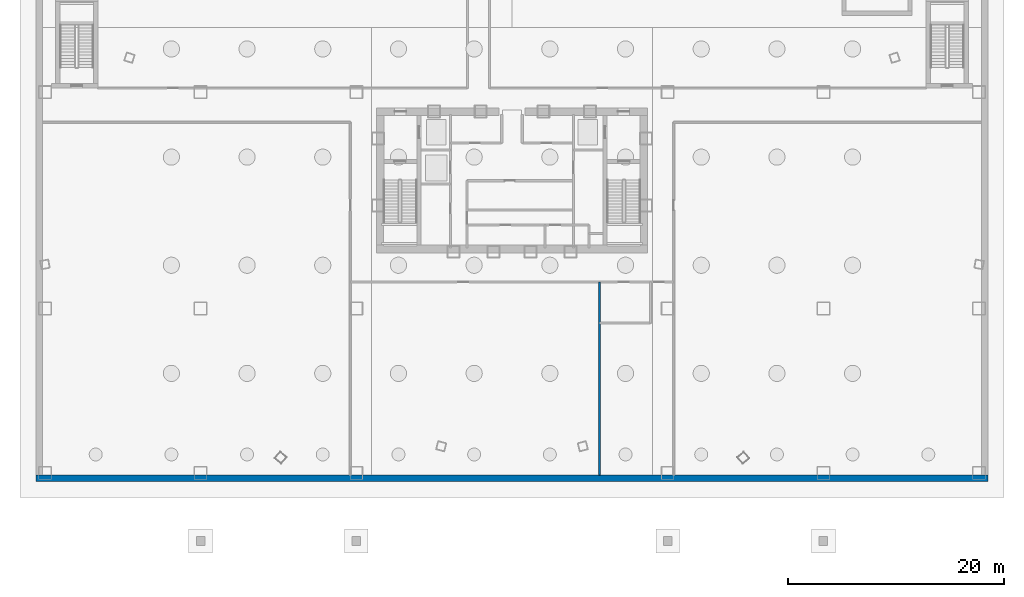
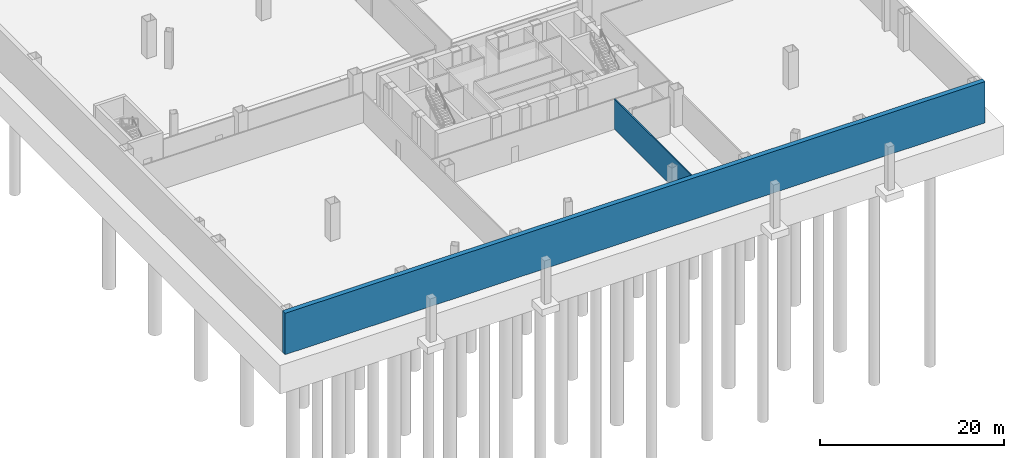
# One storey, part 6 of 15: 2 walls.
"""IFC4 building model written with IfcOpenShell, lengths in metres."""

from ifc_helpers import new_model, si_unit, direction, frame, frame_2d, origin, place, context, subcontext, project, spatial, rectangle, extrude, material, layer, layer_set, type_object, element, save


model = new_model("IFC4")

# Units and contexts
model_context = context("Model", 3, precision=1e-05, world=origin(), true_north=direction((0.0, 1.0)))
body_context = subcontext(model_context, "Body", "Model", "MODEL_VIEW")
ifc_project = project(units=[si_unit("LENGTHUNIT", "METRE"), si_unit("AREAUNIT", "SQUARE_METRE"), si_unit("VOLUMEUNIT", "CUBIC_METRE"), si_unit("PLANEANGLEUNIT", "RADIAN"), si_unit("MASSUNIT", "GRAM", prefix="KILO"), si_unit("THERMODYNAMICTEMPERATUREUNIT", "KELVIN"), si_unit("POWERUNIT", "WATT")], contexts=[model_context])

# Site, building, storey
site_placement = place(None, origin())
site = spatial("IfcSite", under=ifc_project, at=site_placement, CompositionType="ELEMENT")
building_placement = place(site_placement, origin())
building = spatial("IfcBuilding", under=site, at=building_placement, Name="Yunzhuo Pagoda Commons", CompositionType="ELEMENT")
storey_placement = place(building_placement, frame((0.0, 0.0, -10.0)))
storey = spatial("IfcBuildingStorey", under=building, at=storey_placement, Name="B02", CompositionType="ELEMENT", Elevation=-10.0)

# Walls
ifc_material_1 = material(Name="Concrete C50", Category="concrete")
ifc_layer_1 = layer(ifc_material_1, 0.60009765625)
ifc_layer_set_1 = layer_set([ifc_layer_1], Name="Concrete C50")
wall_type_1 = type_object("IfcWallType", Name="W-B01 Basement Perimeter Retaining Wall 600", PredefinedType="SHEAR", material=ifc_layer_set_1)
wall_1_placement = place(storey_placement, frame((4.0, 6.300048828125, -0.60009765625), z_axis=(0.0, 0.0, 1.0), x_axis=(1.0, 0.0, 0.0)))
element("IfcWall", 1, at=wall_1_placement, inside=storey, type_object=wall_type_1, Name="B02 S basement retaining wall", PredefinedType="SHEAR", context=body_context, shape_type="SweptSolid", body=[
    extrude(rectangle(XDim=88.0, YDim=0.60009765625, at=frame_2d((44.0, 0.0))), origin(), (0.0, 0.0, 1.0), 5.5),
])
ifc_material_2 = material(Name="Gypsum plasterboard on acoustic stud")
ifc_layer_2 = layer(ifc_material_2, 0.159912109375)
ifc_layer_set_2 = layer_set([ifc_layer_2], Name="Gypsum plasterboard on acoustic stud")
wall_type_2 = type_object("IfcWallType", Name="W-COR1 Tower Rated Corridor Wall 160", PredefinedType="PARTITIONING", material=ifc_layer_set_2)
wall_2_placement = place(storey_placement, frame((56.10009765625, 6.60009765625, 0.0), z_axis=(0.0, 0.0, 1.0), x_axis=(0.0, 1.0, 0.0)))
element("IfcWall", 2, at=wall_2_placement, inside=storey, type_object=wall_type_2, Name="B02 interior wall IW-B02-DIVS", PredefinedType="PARTITIONING", context=body_context, shape_type="SweptSolid", body=[
    extrude(rectangle(XDim=17.849853515625, YDim=0.159912109375, at=frame_2d((8.9248046875, 0.0))), origin(), (0.0, 0.0, 1.0), 4.0),
])

save(model, "model.ifc")
